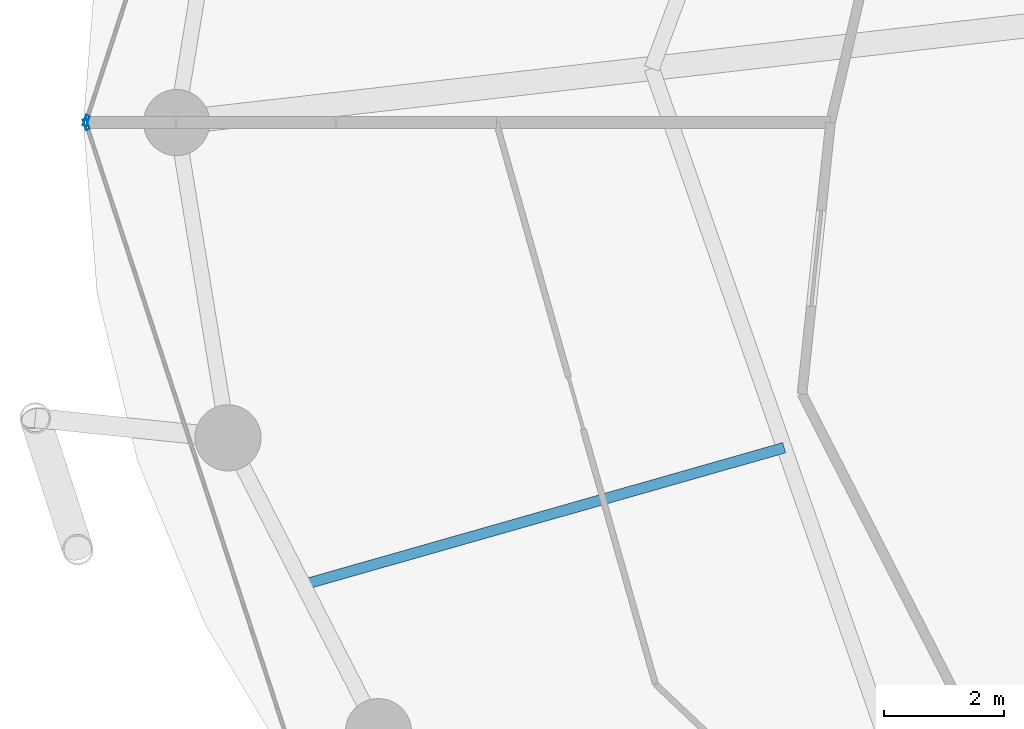
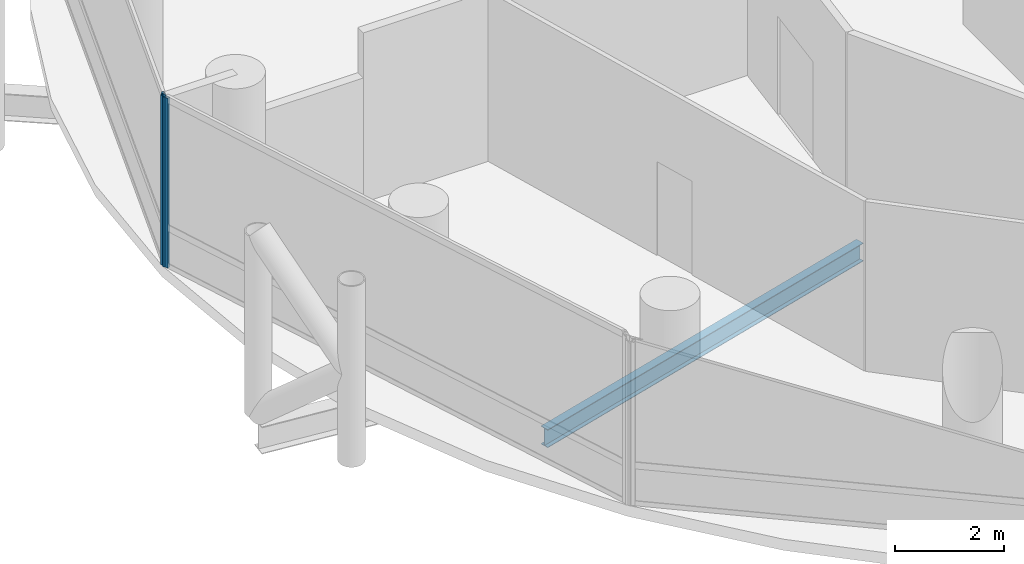
# One storey, part 6 of 24: 2 members, 1 beam, 2 elements without a shape of their own.
"""IFC4 building model written with IfcOpenShell, lengths in metres."""

from ifc_helpers import new_model, si_unit, direction, frame, origin, origin_2d, place, context, subcontext, project, spatial, hollow_rectangle, i_section, extrude, material, layer, layer_set, material_profile, profile_set, type_object, element, aggregate, save


model = new_model("IFC4")

# Units and contexts
model_context = context("Model", 3, precision=1e-05, world=origin(), true_north=direction((0.0, 1.0)))
body_context = subcontext(model_context, "Body", "Model", "MODEL_VIEW")
ifc_project = project(units=[si_unit("LENGTHUNIT", "METRE"), si_unit("AREAUNIT", "SQUARE_METRE"), si_unit("VOLUMEUNIT", "CUBIC_METRE"), si_unit("PLANEANGLEUNIT", "RADIAN"), si_unit("MASSUNIT", "GRAM", prefix="KILO")], contexts=[model_context])

# Site, building, storey
site_placement = place(None, origin())
site = spatial("IfcSite", under=ifc_project, at=site_placement, CompositionType="ELEMENT")
building_placement = place(site_placement, origin())
building = spatial("IfcBuilding", under=site, at=building_placement, Name="Nuhasar Tower", CompositionType="ELEMENT")
storey_placement = place(building_placement, frame((0.0, 0.0, 69.60009765625)))
storey = spatial("IfcBuildingStorey", under=building, at=storey_placement, Name="L16", CompositionType="ELEMENT", Elevation=69.60009765625)

# Beam
ifc_material_1 = material(Name="Steel S355", Category="steel")
ifc_material_profile_1 = material_profile(ifc_material_1, i_section(OverallWidth=0.177978515625, OverallDepth=0.406005859375, WebThickness=0.0078125, FlangeThickness=0.0126953125, at=origin_2d()), Name="W16X40")
ifc_profile_set_1 = profile_set([ifc_material_profile_1], Name="Steel S355")
beam_type = type_object("IfcBeamType", Name="BM-JST-W16X40", PredefinedType="JOIST", material=ifc_profile_set_1)
beam_placement = place(storey_placement, frame((24.051025390625, 21.39501953125, -0.453125), z_axis=(-0.961730884496, -0.273995813484, 0.0), x_axis=(0.273995813484, -0.961730884496, 0.0)))
element("IfcBeam", 1, at=beam_placement, inside=storey, type_object=beam_type, Name="L16 Secondary Floor Joist 08", PredefinedType="JOIST", context=body_context, shape_type="SweptSolid", body=[
    extrude(i_section(OverallWidth=0.177978515625, OverallDepth=0.406005859375, WebThickness=0.0078125, FlangeThickness=0.0126953125, at=origin_2d()), origin(), (0.0, 0.0, 1.0), 8.314208984375),
])

# Curtain wall, member
ifc_material_2 = material(Name="Aluminium 6063-T6", Category="aluminium")
ifc_layer = layer(ifc_material_2, 0.199951171875)
ifc_layer_set = layer_set([ifc_layer], Name="Aluminium 6063-T6")
curtain_wall_type = type_object("IfcCurtainWallType", Name="CW-Z1-OFF", PredefinedType="NOTDEFINED", material=ifc_layer_set)
curtain_wall_1_placement = place(storey_placement, origin())
curtain_wall_1 = element("IfcCurtainWall", 2, at=curtain_wall_1_placement, inside=storey, type_object=curtain_wall_type, Name="L16 Unitised Curtain Wall 06", PredefinedType="NOTDEFINED")
ifc_material_profile_2 = material_profile(ifc_material_2, hollow_rectangle(XDim=0.06494140625, YDim=0.179931640625, WallThickness=0.0048828125, at=origin_2d()), Name="CWM-2")
ifc_profile_set_2 = profile_set([ifc_material_profile_2], Name="Aluminium 6063-T6")
member_type = type_object("IfcMemberType", Name="CW-MUL-S2", PredefinedType="MULLION", material=ifc_profile_set_2)
member_1_placement = place(storey_placement, frame((12.4501953125, 26.830810546875, 0.0), z_axis=(0.0, 0.0, 1.0), x_axis=(0.950467534571, -0.310823849997, 0.0)))
member_1 = element("IfcMember", 3, at=member_1_placement, type_object=member_type, Name="CW-Z1 mullion 2", PredefinedType="MULLION", context=body_context, shape_type="SweptSolid", body=[
    extrude(hollow_rectangle(XDim=0.06494140625, YDim=0.179931640625, WallThickness=0.0048828125, at=origin_2d()), origin(), (0.0, 0.0, 1.0), 3.7998046875),
])
aggregate(curtain_wall_1, [member_1])

curtain_wall_2_placement = place(storey_placement, origin())
curtain_wall_2 = element("IfcCurtainWall", 4, at=curtain_wall_2_placement, inside=storey, type_object=curtain_wall_type, Name="L16 Unitised Curtain Wall 07", PredefinedType="NOTDEFINED")
member_2_placement = place(storey_placement, frame((12.4501953125, 26.76904296875, 0.0), z_axis=(0.0, 0.0, 1.0), x_axis=(0.950467534571, 0.310823849997, 0.0)))
member_2 = element("IfcMember", 5, at=member_2_placement, type_object=member_type, Name="CW-Z1 mullion 1", PredefinedType="MULLION", context=body_context, shape_type="SweptSolid", body=[
    extrude(hollow_rectangle(XDim=0.06494140625, YDim=0.179931640625, WallThickness=0.0048828125, at=origin_2d()), origin(), (0.0, 0.0, 1.0), 3.7998046875),
])
aggregate(curtain_wall_2, [member_2])

save(model, "model.ifc")
